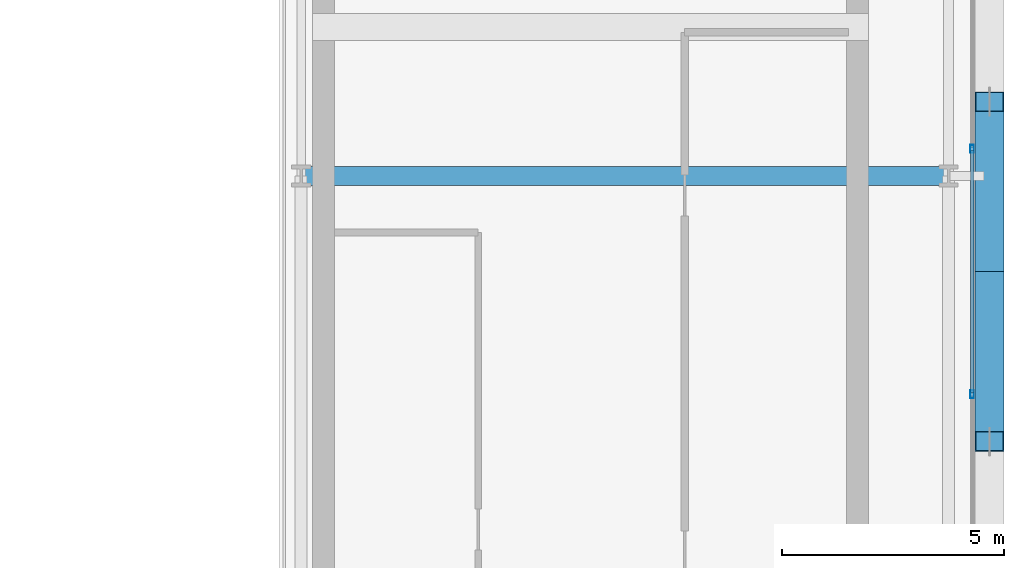
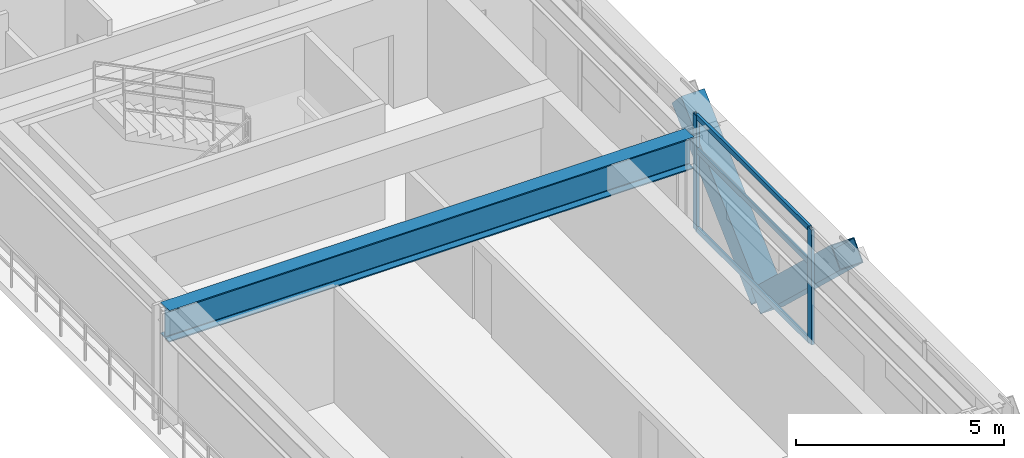
# One storey, part 13 of 32: 7 members, 1 beam, 1 element without a shape of its own.
"""IFC4 building model written with IfcOpenShell, lengths in metres."""

from ifc_helpers import new_model, si_unit, direction, frame, origin, origin_2d, place, context, subcontext, project, spatial, hollow_rectangle, i_section, extrude, source, transform, mapped, material, layer, layer_set, material_profile, profile_set, type_object, element, aggregate, save


model = new_model("IFC4")

# Units and contexts
model_context = context("Model", 3, precision=1e-05, world=origin(), true_north=direction((0.0, 1.0)))
body_context = subcontext(model_context, "Body", "Model", "MODEL_VIEW")
ifc_project = project(units=[si_unit("LENGTHUNIT", "METRE"), si_unit("AREAUNIT", "SQUARE_METRE"), si_unit("VOLUMEUNIT", "CUBIC_METRE"), si_unit("PLANEANGLEUNIT", "RADIAN"), si_unit("MASSUNIT", "GRAM", prefix="KILO")], contexts=[model_context])

# Site, building, storey
site_placement = place(None, origin())
site = spatial("IfcSite", under=ifc_project, at=site_placement, CompositionType="ELEMENT")
building_placement = place(site_placement, origin())
building = spatial("IfcBuilding", under=site, at=building_placement, Name="Ocotamira Hotel", CompositionType="ELEMENT")
storey_placement = place(building_placement, frame((0.0, 0.0, 206.39990234375)))
storey = spatial("IfcBuildingStorey", under=building, at=storey_placement, Name="L52", CompositionType="ELEMENT", Elevation=206.39990234375)

# Beam
ifc_material_1 = material(Name="Steel ASTM A992 Grade 50", Category="steel")
ifc_material_profile_1 = material_profile(ifc_material_1, i_section(OverallWidth=0.41796875, OverallDepth=0.927001953125, WebThickness=0.019287109375, FlangeThickness=0.031982421875, FilletRadius=0.02392578125, at=origin_2d()), Name="W36X231")
ifc_profile_set_1 = profile_set([ifc_material_profile_1], Name="Steel ASTM A992 Grade 50")
beam_type = type_object("IfcBeamType", Name="BM-GIRD-W36X231", PredefinedType="BEAM", material=ifc_profile_set_1)
shared_shape_1 = source(origin(), body_context, "Body", "SweptSolid", [
    extrude(i_section(OverallWidth=0.41796875, OverallDepth=0.927001953125, WebThickness=0.019287109375, FlangeThickness=0.031982421875, FilletRadius=0.02392578125, at=origin_2d()), origin(), (0.0, 0.0, 1.0), 14.550048828125),
])
beam_placement = place(storey_placement, frame((40.5, 28.14990234375, 2.906494140625), z_axis=(1.0, 0.0, 0.0), x_axis=(0.0, 1.0, 0.0)))
element("IfcBeam", 1, at=beam_placement, inside=storey, type_object=beam_type, Name="L52 Girder Y28.15 X40.5-55.05", PredefinedType="BEAM", context=body_context, shape_type="MappedRepresentation", body=[
    mapped(shared_shape_1, transform((0.0, 0.0, 0.0), scale=1.0)),
])

# Members
ifc_material_2 = material(Name="Pale-metal coated steel ASTM A913 Grade 65", Category="steel")
ifc_material_profile_2 = material_profile(ifc_material_2, hollow_rectangle(XDim=0.64990234375, YDim=0.64990234375, WallThickness=0.02197265625, at=origin_2d()), Name="BOX650X650X22")
ifc_profile_set_2 = profile_set([ifc_material_profile_2], Name="Pale-metal coated steel ASTM A913 Grade 65")
member_type_1 = type_object("IfcMemberType", Name="MEM-EXO-BOX650", PredefinedType="BRACE", material=ifc_profile_set_2)
shared_shape_2 = source(origin(), body_context, "Body", "SweptSolid", [
    extrude(hollow_rectangle(XDim=0.64990234375, YDim=0.64990234375, WallThickness=0.02197265625, at=origin_2d()), origin(), (0.0, 0.0, 1.0), 5.24658203125),
])
for number, where, z_axis, x_axis, name in (
    (2, (55.969970703125, 26.0, -0.47998046875), (0.0, -0.727442733726, 0.686168397078), (1.0, 0.0, 0.0), "L52 Exoskeleton Diagrid E1.1"),
    (3, (55.969970703125, 26.0, -0.47998046875), (0.0, 0.727442733726, 0.686168397078), (-1.0, 0.0, 0.0), "L52 Exoskeleton Diagrid E1.2"),
):
    element("IfcMember", number, at=place(storey_placement, frame(where, z_axis=z_axis, x_axis=x_axis)), inside=storey, type_object=member_type_1, Name=name, PredefinedType="BRACE", context=body_context, shape_type="MappedRepresentation", body=[
        mapped(shared_shape_2, transform((0.0, 0.0, 0.0), scale=1.0)),
    ])

# Curtain wall, members
ifc_material_3 = material(Name="Anodised pale-metal aluminium and solar glass", Category="aluminium")
ifc_layer = layer(ifc_material_3, 0.199951171875)
ifc_layer_set = layer_set([ifc_layer], Name="Anodised pale-metal aluminium and solar glass")
curtain_wall_type = type_object("IfcCurtainWallType", Name="CW-SYS4-Z3", PredefinedType="NOTDEFINED", material=ifc_layer_set)
curtain_wall_placement = place(storey_placement, origin())
curtain_wall = element("IfcCurtainWall", 4, at=curtain_wall_placement, inside=storey, type_object=curtain_wall_type, Name="L52 Curtain Wall CW-4 CW-L52-E", PredefinedType="NOTDEFINED")
ifc_material_4 = material(Name="Anodised pale-metal aluminium 6063-T6", Category="aluminium")
ifc_material_profile_3 = material_profile(ifc_material_4, hollow_rectangle(XDim=0.080078125, YDim=0.179931640625, WallThickness=0.006103515625, at=origin_2d()), Name="HSS180X80X6")
ifc_profile_set_3 = profile_set([ifc_material_profile_3], Name="Anodised pale-metal aluminium 6063-T6")
member_type_2 = type_object("IfcMemberType", Name="CWM-180X75", PredefinedType="MULLION", material=ifc_profile_set_3)
shared_shape_3 = source(origin(), body_context, "Body", "SweptSolid", [
    extrude(hollow_rectangle(XDim=0.080078125, YDim=0.179931640625, WallThickness=0.006103515625, at=origin_2d()), origin(), (0.0, 0.0, 1.0), 3.3701171875),
])
member_1_placement = place(storey_placement, frame((55.580078125, 23.239990234375, 0.0), z_axis=(0.0, 0.0, 1.0), x_axis=(-1.0, 0.0, 0.0)))
member_1 = element("IfcMember", 5, at=member_1_placement, type_object=member_type_2, Name="CW-4 mullion 3", PredefinedType="MULLION", context=body_context, shape_type="MappedRepresentation", body=[
    mapped(shared_shape_3, transform((0.0, 0.0, 0.0), scale=1.0)),
])
member_2_placement = place(storey_placement, frame((55.580078125, 28.760009765625, 0.0), z_axis=(0.0, 0.0, 1.0), x_axis=(-1.0, 0.0, 0.0)))
member_2 = element("IfcMember", 6, at=member_2_placement, type_object=member_type_2, Name="CW-4 mullion 4", PredefinedType="MULLION", context=body_context, shape_type="MappedRepresentation", body=[
    mapped(shared_shape_3, transform((0.0, 0.0, 0.0), scale=1.0)),
])
ifc_material_profile_4 = material_profile(ifc_material_4, hollow_rectangle(XDim=0.074951171875, YDim=0.14990234375, WallThickness=0.006103515625, at=origin_2d()), Name="HSS150X75X6")
ifc_profile_set_4 = profile_set([ifc_material_profile_4], Name="Anodised pale-metal aluminium 6063-T6")
member_type_3 = type_object("IfcMemberType", Name="CWT-150X75", PredefinedType="USERDEFINED", material=ifc_profile_set_4)
shared_shape_4 = source(origin(), body_context, "Body", "SweptSolid", [
    extrude(hollow_rectangle(XDim=0.074951171875, YDim=0.14990234375, WallThickness=0.006103515625, at=origin_2d()), origin(), (0.0, 0.0, 1.0), 5.43994140625),
])
member_3_placement = place(storey_placement, frame((55.580078125, 23.280029296875, 0.03759765625), z_axis=(0.0, 1.0, 0.0), x_axis=(-1.0, 0.0, 0.0)))
member_3 = element("IfcMember", 7, at=member_3_placement, type_object=member_type_3, Name="CW-4 transom 3.1", ObjectType="TRANSOM", PredefinedType="USERDEFINED", context=body_context, shape_type="MappedRepresentation", body=[
    mapped(shared_shape_4, transform((0.0, 0.0, 0.0), scale=1.0)),
])
member_4_placement = place(storey_placement, frame((55.580078125, 23.280029296875, 2.35009765625), z_axis=(0.0, 1.0, 0.0), x_axis=(-1.0, 0.0, 0.0)))
member_4 = element("IfcMember", 8, at=member_4_placement, type_object=member_type_3, Name="CW-4 transom 3.2", ObjectType="TRANSOM", PredefinedType="USERDEFINED", context=body_context, shape_type="MappedRepresentation", body=[
    mapped(shared_shape_4, transform((0.0, 0.0, 0.0), scale=1.0)),
])
member_5_placement = place(storey_placement, frame((55.580078125, 23.280029296875, 3.33251953125), z_axis=(0.0, 1.0, 0.0), x_axis=(-1.0, 0.0, 0.0)))
member_5 = element("IfcMember", 9, at=member_5_placement, type_object=member_type_3, Name="CW-4 transom 3.3", ObjectType="TRANSOM", PredefinedType="USERDEFINED", context=body_context, shape_type="MappedRepresentation", body=[
    mapped(shared_shape_4, transform((0.0, 0.0, 0.0), scale=1.0)),
])
aggregate(curtain_wall, [member_1, member_2, member_3, member_4, member_5])

save(model, "model.ifc")
